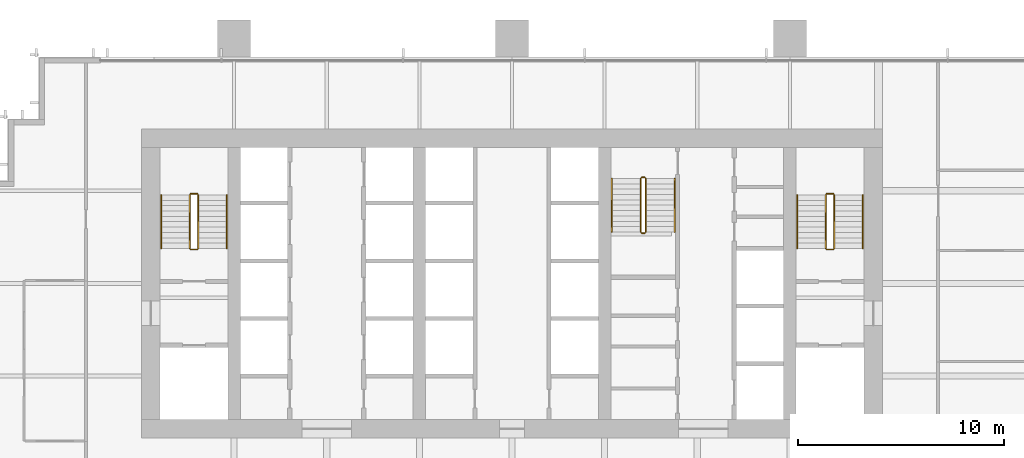
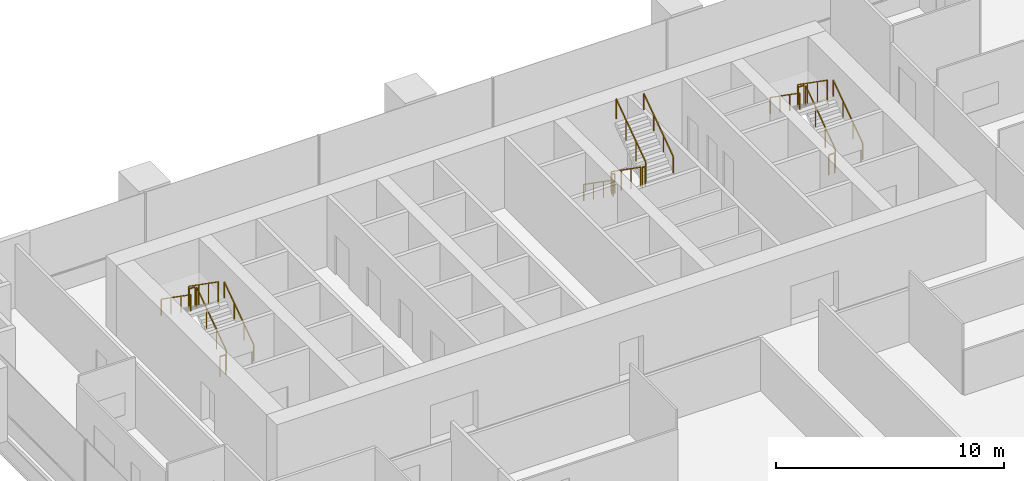
# One storey, part 17 of 17: 18 railings.
"""IFC4 building model written with IfcOpenShell, lengths in metres."""

from ifc_helpers import new_model, si_unit, direction, frame, origin, origin_2d, place, context, subcontext, project, spatial, rectangle, extrude, material, type_object, element, save


model = new_model("IFC4")

# Units and contexts
model_context = context("Model", 3, precision=1e-05, world=origin(), true_north=direction((0.0, 1.0)))
body_context = subcontext(model_context, "Body", "Model", "MODEL_VIEW")
ifc_project = project(units=[si_unit("LENGTHUNIT", "METRE"), si_unit("AREAUNIT", "SQUARE_METRE"), si_unit("VOLUMEUNIT", "CUBIC_METRE"), si_unit("PLANEANGLEUNIT", "RADIAN"), si_unit("MASSUNIT", "GRAM", prefix="KILO")], contexts=[model_context])

# Site, building, storey
site_placement = place(None, origin())
site = spatial("IfcSite", under=ifc_project, at=site_placement, CompositionType="ELEMENT")
building_placement = place(site_placement, origin())
building = spatial("IfcBuilding", under=site, at=building_placement, Name="Rattan Terrace Tower", CompositionType="ELEMENT")
storey_placement = place(building_placement, frame((0.0, 0.0, 95.699951171875)))
storey = spatial("IfcBuildingStorey", under=building, at=storey_placement, Name="L21", CompositionType="ELEMENT", Elevation=95.699951171875)

# Railings
ifc_material_1 = material(Name="Powder-coated steel guard", Category="steel")
railing_type_1 = type_object("IfcRailingType", Name="Core stair guard", PredefinedType="GUARDRAIL", material=ifc_material_1)
railing_1_placement = place(storey_placement, frame((-15.25, 1.699951171875, 0.181884765625)))
element("IfcRailing", 1, at=railing_1_placement, inside=storey, type_object=railing_type_1, Name="L21 S1 stair guard 1", PredefinedType="GUARDRAIL", context=body_context, shape_type="SweptSolid", body=[
    extrude(rectangle(XDim=0.048095703125, YDim=0.048095703125, at=origin_2d()), frame((0.0, 0.0, 1.076171875), z_axis=(0.0, 0.819521025635, 0.573049115296), x_axis=(-1.0, 0.0, 0.0)), (0.0, 0.0, 1.0), 3.172607421875),
    extrude(rectangle(XDim=0.0419921875, YDim=0.0419921875, at=origin_2d()), origin(), (0.0, 0.0, 1.0), 1.052001953125),
    extrude(rectangle(XDim=0.0419921875, YDim=0.0419921875, at=origin_2d()), frame((0.0, 0.86669921875, 0.60595703125)), (0.0, 0.0, 1.0), 1.052001953125),
    extrude(rectangle(XDim=0.0419921875, YDim=0.0419921875, at=origin_2d()), frame((0.0, 1.7333984375, 1.212158203125)), (0.0, 0.0, 1.0), 1.052001953125),
    extrude(rectangle(XDim=0.0419921875, YDim=0.0419921875, at=origin_2d()), frame((0.0, 2.60009765625, 1.818115234375)), (0.0, 0.0, 1.0), 1.052001953125),
])
railing_2_placement = place(storey_placement, frame((-15.300048828125, 4.35009765625, 2.0)))
element("IfcRailing", 2, at=railing_2_placement, inside=storey, type_object=railing_type_1, Name="L21 S1 stair guard 2", PredefinedType="GUARDRAIL", context=body_context, shape_type="SweptSolid", body=[
    extrude(rectangle(XDim=0.048095703125, YDim=0.048095703125, at=origin_2d()), frame((0.0, 0.0, 1.076171875), z_axis=(-1.0, 0.0, 0.0), x_axis=(0.0, -1.0, 0.0)), (0.0, 0.0, 1.0), 0.300048828125),
    extrude(rectangle(XDim=0.0419921875, YDim=0.0419921875, at=origin_2d()), origin(), (0.0, 0.0, 1.0), 1.052001953125),
    extrude(rectangle(XDim=0.0419921875, YDim=0.0419921875, at=origin_2d()), frame((-0.300048828125, 0.0, 0.0)), (0.0, 0.0, 1.0), 1.052001953125),
])
railing_3_placement = place(storey_placement, frame((-15.64990234375, 4.300048828125, 2.181884765625)))
element("IfcRailing", 3, at=railing_3_placement, inside=storey, type_object=railing_type_1, Name="L21 S1 stair guard 3", PredefinedType="GUARDRAIL", context=body_context, shape_type="SweptSolid", body=[
    extrude(rectangle(XDim=0.048095703125, YDim=0.048095703125, at=origin_2d()), frame((0.0, 0.0, 1.076171875), z_axis=(0.0, -0.819521025635, 0.573049115296), x_axis=(1.0, 0.0, 0.0)), (0.0, 0.0, 1.0), 3.172607421875),
    extrude(rectangle(XDim=0.0419921875, YDim=0.0419921875, at=origin_2d()), origin(), (0.0, 0.0, 1.0), 1.052001953125),
    extrude(rectangle(XDim=0.0419921875, YDim=0.0419921875, at=origin_2d()), frame((0.0, -0.86669921875, 0.60595703125)), (0.0, 0.0, 1.0), 1.052001953125),
    extrude(rectangle(XDim=0.0419921875, YDim=0.0419921875, at=origin_2d()), frame((0.0, -1.7333984375, 1.212158203125)), (0.0, 0.0, 1.0), 1.052001953125),
    extrude(rectangle(XDim=0.0419921875, YDim=0.0419921875, at=origin_2d()), frame((0.0, -2.60009765625, 1.818115234375)), (0.0, 0.0, 1.0), 1.052001953125),
])
railing_4_placement = place(storey_placement, frame((-15.300048828125, 1.64990234375, 0.0)))
element("IfcRailing", 4, at=railing_4_placement, inside=storey, type_object=railing_type_1, Name="L21 S1 stair guard 4", PredefinedType="GUARDRAIL", context=body_context, shape_type="SweptSolid", body=[
    extrude(rectangle(XDim=0.048095703125, YDim=0.048095703125, at=origin_2d()), frame((0.0, 0.0, 1.076171875), z_axis=(-1.0, 0.0, 0.0), x_axis=(0.0, -1.0, 0.0)), (0.0, 0.0, 1.0), 0.300048828125),
    extrude(rectangle(XDim=0.0419921875, YDim=0.0419921875, at=origin_2d()), origin(), (0.0, 0.0, 1.0), 1.052001953125),
    extrude(rectangle(XDim=0.0419921875, YDim=0.0419921875, at=origin_2d()), frame((-0.300048828125, 0.0, 0.0)), (0.0, 0.0, 1.0), 1.052001953125),
])
railing_5_placement = place(storey_placement, frame((15.64990234375, 1.699951171875, 0.181884765625)))
element("IfcRailing", 5, at=railing_5_placement, inside=storey, type_object=railing_type_1, Name="L21 S2 stair guard 1", PredefinedType="GUARDRAIL", context=body_context, shape_type="SweptSolid", body=[
    extrude(rectangle(XDim=0.048095703125, YDim=0.048095703125, at=origin_2d()), frame((0.0, 0.0, 1.076171875), z_axis=(0.0, 0.819521025635, 0.573049115296), x_axis=(-1.0, 0.0, 0.0)), (0.0, 0.0, 1.0), 3.172607421875),
    extrude(rectangle(XDim=0.0419921875, YDim=0.0419921875, at=origin_2d()), origin(), (0.0, 0.0, 1.0), 1.052001953125),
    extrude(rectangle(XDim=0.0419921875, YDim=0.0419921875, at=origin_2d()), frame((0.0, 0.86669921875, 0.60595703125)), (0.0, 0.0, 1.0), 1.052001953125),
    extrude(rectangle(XDim=0.0419921875, YDim=0.0419921875, at=origin_2d()), frame((0.0, 1.7333984375, 1.212158203125)), (0.0, 0.0, 1.0), 1.052001953125),
    extrude(rectangle(XDim=0.0419921875, YDim=0.0419921875, at=origin_2d()), frame((0.0, 2.60009765625, 1.818115234375)), (0.0, 0.0, 1.0), 1.052001953125),
])
railing_6_placement = place(storey_placement, frame((15.60009765625, 4.35009765625, 2.0)))
element("IfcRailing", 6, at=railing_6_placement, inside=storey, type_object=railing_type_1, Name="L21 S2 stair guard 2", PredefinedType="GUARDRAIL", context=body_context, shape_type="SweptSolid", body=[
    extrude(rectangle(XDim=0.048095703125, YDim=0.048095703125, at=origin_2d()), frame((0.0, 0.0, 1.076171875), z_axis=(-1.0, 0.0, 0.0), x_axis=(0.0, -1.0, 0.0)), (0.0, 0.0, 1.0), 0.300048828125),
    extrude(rectangle(XDim=0.0419921875, YDim=0.0419921875, at=origin_2d()), origin(), (0.0, 0.0, 1.0), 1.052001953125),
    extrude(rectangle(XDim=0.0419921875, YDim=0.0419921875, at=origin_2d()), frame((-0.300048828125, 0.0, 0.0)), (0.0, 0.0, 1.0), 1.052001953125),
])
railing_7_placement = place(storey_placement, frame((15.25, 4.300048828125, 2.181884765625)))
element("IfcRailing", 7, at=railing_7_placement, inside=storey, type_object=railing_type_1, Name="L21 S2 stair guard 3", PredefinedType="GUARDRAIL", context=body_context, shape_type="SweptSolid", body=[
    extrude(rectangle(XDim=0.048095703125, YDim=0.048095703125, at=origin_2d()), frame((0.0, 0.0, 1.076171875), z_axis=(0.0, -0.819521025635, 0.573049115296), x_axis=(1.0, 0.0, 0.0)), (0.0, 0.0, 1.0), 3.172607421875),
    extrude(rectangle(XDim=0.0419921875, YDim=0.0419921875, at=origin_2d()), origin(), (0.0, 0.0, 1.0), 1.052001953125),
    extrude(rectangle(XDim=0.0419921875, YDim=0.0419921875, at=origin_2d()), frame((0.0, -0.86669921875, 0.60595703125)), (0.0, 0.0, 1.0), 1.052001953125),
    extrude(rectangle(XDim=0.0419921875, YDim=0.0419921875, at=origin_2d()), frame((0.0, -1.7333984375, 1.212158203125)), (0.0, 0.0, 1.0), 1.052001953125),
    extrude(rectangle(XDim=0.0419921875, YDim=0.0419921875, at=origin_2d()), frame((0.0, -2.60009765625, 1.818115234375)), (0.0, 0.0, 1.0), 1.052001953125),
])
railing_8_placement = place(storey_placement, frame((15.60009765625, 1.64990234375, 0.0)))
element("IfcRailing", 8, at=railing_8_placement, inside=storey, type_object=railing_type_1, Name="L21 S2 stair guard 4", PredefinedType="GUARDRAIL", context=body_context, shape_type="SweptSolid", body=[
    extrude(rectangle(XDim=0.048095703125, YDim=0.048095703125, at=origin_2d()), frame((0.0, 0.0, 1.076171875), z_axis=(-1.0, 0.0, 0.0), x_axis=(0.0, -1.0, 0.0)), (0.0, 0.0, 1.0), 0.300048828125),
    extrude(rectangle(XDim=0.0419921875, YDim=0.0419921875, at=origin_2d()), origin(), (0.0, 0.0, 1.0), 1.052001953125),
    extrude(rectangle(XDim=0.0419921875, YDim=0.0419921875, at=origin_2d()), frame((-0.300048828125, 0.0, 0.0)), (0.0, 0.0, 1.0), 1.052001953125),
])
railing_9_placement = place(storey_placement, frame((6.25, 5.10009765625, 0.181884765625)))
element("IfcRailing", 9, at=railing_9_placement, inside=storey, type_object=railing_type_1, Name="L21 S3 stair guard 1", PredefinedType="GUARDRAIL", context=body_context, shape_type="SweptSolid", body=[
    extrude(rectangle(XDim=0.048095703125, YDim=0.048095703125, at=origin_2d()), frame((0.0, 0.0, 1.076171875), z_axis=(0.0, -0.819521025635, 0.573049115296), x_axis=(1.0, 0.0, 0.0)), (0.0, 0.0, 1.0), 3.172607421875),
    extrude(rectangle(XDim=0.0419921875, YDim=0.0419921875, at=origin_2d()), origin(), (0.0, 0.0, 1.0), 1.052001953125),
    extrude(rectangle(XDim=0.0419921875, YDim=0.0419921875, at=origin_2d()), frame((0.0, -0.86669921875, 0.60595703125)), (0.0, 0.0, 1.0), 1.052001953125),
    extrude(rectangle(XDim=0.0419921875, YDim=0.0419921875, at=origin_2d()), frame((0.0, -1.7333984375, 1.212158203125)), (0.0, 0.0, 1.0), 1.052001953125),
    extrude(rectangle(XDim=0.0419921875, YDim=0.0419921875, at=origin_2d()), frame((0.0, -2.60009765625, 1.818115234375)), (0.0, 0.0, 1.0), 1.052001953125),
])
railing_10_placement = place(storey_placement, frame((6.300048828125, 2.449951171875, 2.0)))
element("IfcRailing", 10, at=railing_10_placement, inside=storey, type_object=railing_type_1, Name="L21 S3 stair guard 2", PredefinedType="GUARDRAIL", context=body_context, shape_type="SweptSolid", body=[
    extrude(rectangle(XDim=0.048095703125, YDim=0.048095703125, at=origin_2d()), frame((0.0, 0.0, 1.076171875), z_axis=(1.0, 0.0, 0.0), x_axis=(0.0, 1.0, 0.0)), (0.0, 0.0, 1.0), 0.14990234375),
    extrude(rectangle(XDim=0.0419921875, YDim=0.0419921875, at=origin_2d()), origin(), (0.0, 0.0, 1.0), 1.052001953125),
    extrude(rectangle(XDim=0.0419921875, YDim=0.0419921875, at=origin_2d()), frame((0.14990234375, 0.0, 0.0)), (0.0, 0.0, 1.0), 1.052001953125),
])
railing_11_placement = place(storey_placement, frame((6.5, 2.5, 2.181884765625)))
element("IfcRailing", 11, at=railing_11_placement, inside=storey, type_object=railing_type_1, Name="L21 S3 stair guard 3", PredefinedType="GUARDRAIL", context=body_context, shape_type="SweptSolid", body=[
    extrude(rectangle(XDim=0.048095703125, YDim=0.048095703125, at=origin_2d()), frame((0.0, 0.0, 1.076171875), z_axis=(0.0, 0.819521025635, 0.573049115296), x_axis=(-1.0, 0.0, 0.0)), (0.0, 0.0, 1.0), 3.172607421875),
    extrude(rectangle(XDim=0.0419921875, YDim=0.0419921875, at=origin_2d()), origin(), (0.0, 0.0, 1.0), 1.052001953125),
    extrude(rectangle(XDim=0.0419921875, YDim=0.0419921875, at=origin_2d()), frame((0.0, 0.86669921875, 0.60595703125)), (0.0, 0.0, 1.0), 1.052001953125),
    extrude(rectangle(XDim=0.0419921875, YDim=0.0419921875, at=origin_2d()), frame((0.0, 1.7333984375, 1.212158203125)), (0.0, 0.0, 1.0), 1.052001953125),
    extrude(rectangle(XDim=0.0419921875, YDim=0.0419921875, at=origin_2d()), frame((0.0, 2.60009765625, 1.818115234375)), (0.0, 0.0, 1.0), 1.052001953125),
])
railing_12_placement = place(storey_placement, frame((6.300048828125, 5.14990234375, 0.0)))
element("IfcRailing", 12, at=railing_12_placement, inside=storey, type_object=railing_type_1, Name="L21 S3 stair guard 4", PredefinedType="GUARDRAIL", context=body_context, shape_type="SweptSolid", body=[
    extrude(rectangle(XDim=0.048095703125, YDim=0.048095703125, at=origin_2d()), frame((0.0, 0.0, 1.076171875), z_axis=(1.0, 0.0, 0.0), x_axis=(0.0, 1.0, 0.0)), (0.0, 0.0, 1.0), 0.14990234375),
    extrude(rectangle(XDim=0.0419921875, YDim=0.0419921875, at=origin_2d()), origin(), (0.0, 0.0, 1.0), 1.052001953125),
    extrude(rectangle(XDim=0.0419921875, YDim=0.0419921875, at=origin_2d()), frame((0.14990234375, 0.0, 0.0)), (0.0, 0.0, 1.0), 1.052001953125),
])
ifc_material_2 = material(Name="Powder-coated steel handrail", Category="steel")
railing_type_2 = type_object("IfcRailingType", Name="Core stair handrail", PredefinedType="HANDRAIL", material=ifc_material_2)
railing_13_placement = place(storey_placement, frame((-13.85009765625, 1.699951171875, 0.181884765625)))
element("IfcRailing", 13, at=railing_13_placement, inside=storey, type_object=railing_type_2, Name="L21 S1 stair handrail 1", PredefinedType="HANDRAIL", context=body_context, shape_type="SweptSolid", body=[
    extrude(rectangle(XDim=0.048095703125, YDim=0.048095703125, at=origin_2d()), frame((0.0, 0.0, 0.8759765625), z_axis=(0.0, 0.819521025635, 0.573049115296), x_axis=(-1.0, 0.0, 0.0)), (0.0, 0.0, 1.0), 3.172607421875),
    extrude(rectangle(XDim=0.0419921875, YDim=0.0419921875, at=origin_2d()), origin(), (0.0, 0.0, 1.0), 0.851806640625),
    extrude(rectangle(XDim=0.0419921875, YDim=0.0419921875, at=origin_2d()), frame((0.0, 0.86669921875, 0.60595703125)), (0.0, 0.0, 1.0), 0.851806640625),
    extrude(rectangle(XDim=0.0419921875, YDim=0.0419921875, at=origin_2d()), frame((0.0, 1.7333984375, 1.212158203125)), (0.0, 0.0, 1.0), 0.851806640625),
    extrude(rectangle(XDim=0.0419921875, YDim=0.0419921875, at=origin_2d()), frame((0.0, 2.60009765625, 1.818115234375)), (0.0, 0.0, 1.0), 0.851806640625),
])
railing_14_placement = place(storey_placement, frame((-17.050048828125, 4.300048828125, 2.181884765625)))
element("IfcRailing", 14, at=railing_14_placement, inside=storey, type_object=railing_type_2, Name="L21 S1 stair handrail 2", PredefinedType="HANDRAIL", context=body_context, shape_type="SweptSolid", body=[
    extrude(rectangle(XDim=0.048095703125, YDim=0.048095703125, at=origin_2d()), frame((0.0, 0.0, 0.8759765625), z_axis=(0.0, -0.819521025635, 0.573049115296), x_axis=(1.0, 0.0, 0.0)), (0.0, 0.0, 1.0), 3.172607421875),
    extrude(rectangle(XDim=0.0419921875, YDim=0.0419921875, at=origin_2d()), origin(), (0.0, 0.0, 1.0), 0.851806640625),
    extrude(rectangle(XDim=0.0419921875, YDim=0.0419921875, at=origin_2d()), frame((0.0, -0.86669921875, 0.60595703125)), (0.0, 0.0, 1.0), 0.851806640625),
    extrude(rectangle(XDim=0.0419921875, YDim=0.0419921875, at=origin_2d()), frame((0.0, -1.7333984375, 1.212158203125)), (0.0, 0.0, 1.0), 0.851806640625),
    extrude(rectangle(XDim=0.0419921875, YDim=0.0419921875, at=origin_2d()), frame((0.0, -2.60009765625, 1.818115234375)), (0.0, 0.0, 1.0), 0.851806640625),
])
railing_15_placement = place(storey_placement, frame((17.050048828125, 1.699951171875, 0.181884765625)))
element("IfcRailing", 15, at=railing_15_placement, inside=storey, type_object=railing_type_2, Name="L21 S2 stair handrail 1", PredefinedType="HANDRAIL", context=body_context, shape_type="SweptSolid", body=[
    extrude(rectangle(XDim=0.048095703125, YDim=0.048095703125, at=origin_2d()), frame((0.0, 0.0, 0.8759765625), z_axis=(0.0, 0.819521025635, 0.573049115296), x_axis=(-1.0, 0.0, 0.0)), (0.0, 0.0, 1.0), 3.172607421875),
    extrude(rectangle(XDim=0.0419921875, YDim=0.0419921875, at=origin_2d()), origin(), (0.0, 0.0, 1.0), 0.851806640625),
    extrude(rectangle(XDim=0.0419921875, YDim=0.0419921875, at=origin_2d()), frame((0.0, 0.86669921875, 0.60595703125)), (0.0, 0.0, 1.0), 0.851806640625),
    extrude(rectangle(XDim=0.0419921875, YDim=0.0419921875, at=origin_2d()), frame((0.0, 1.7333984375, 1.212158203125)), (0.0, 0.0, 1.0), 0.851806640625),
    extrude(rectangle(XDim=0.0419921875, YDim=0.0419921875, at=origin_2d()), frame((0.0, 2.60009765625, 1.818115234375)), (0.0, 0.0, 1.0), 0.851806640625),
])
for number, where, name in (
    (16, (13.85009765625, 4.300048828125, 2.181884765625), "L21 S2 stair handrail 2"),
    (17, (4.85009765625, 5.10009765625, 0.181884765625), "L21 S3 stair handrail 1"),
):
    element("IfcRailing", number, at=place(storey_placement, frame(where)), inside=storey, type_object=railing_type_2, Name=name, PredefinedType="HANDRAIL", context=body_context, shape_type="SweptSolid", body=[
        extrude(rectangle(XDim=0.048095703125, YDim=0.048095703125, at=origin_2d()), frame((0.0, 0.0, 0.8759765625), z_axis=(0.0, -0.819521025635, 0.573049115296), x_axis=(1.0, 0.0, 0.0)), (0.0, 0.0, 1.0), 3.172607421875),
        extrude(rectangle(XDim=0.0419921875, YDim=0.0419921875, at=origin_2d()), origin(), (0.0, 0.0, 1.0), 0.851806640625),
        extrude(rectangle(XDim=0.0419921875, YDim=0.0419921875, at=origin_2d()), frame((0.0, -0.86669921875, 0.60595703125)), (0.0, 0.0, 1.0), 0.851806640625),
        extrude(rectangle(XDim=0.0419921875, YDim=0.0419921875, at=origin_2d()), frame((0.0, -1.7333984375, 1.212158203125)), (0.0, 0.0, 1.0), 0.851806640625),
        extrude(rectangle(XDim=0.0419921875, YDim=0.0419921875, at=origin_2d()), frame((0.0, -2.60009765625, 1.818115234375)), (0.0, 0.0, 1.0), 0.851806640625),
    ])
railing_16_placement = place(storey_placement, frame((7.89990234375, 2.5, 2.181884765625)))
element("IfcRailing", 18, at=railing_16_placement, inside=storey, type_object=railing_type_2, Name="L21 S3 stair handrail 2", PredefinedType="HANDRAIL", context=body_context, shape_type="SweptSolid", body=[
    extrude(rectangle(XDim=0.048095703125, YDim=0.048095703125, at=origin_2d()), frame((0.0, 0.0, 0.8759765625), z_axis=(0.0, 0.819521025635, 0.573049115296), x_axis=(-1.0, 0.0, 0.0)), (0.0, 0.0, 1.0), 3.172607421875),
    extrude(rectangle(XDim=0.0419921875, YDim=0.0419921875, at=origin_2d()), origin(), (0.0, 0.0, 1.0), 0.851806640625),
    extrude(rectangle(XDim=0.0419921875, YDim=0.0419921875, at=origin_2d()), frame((0.0, 0.86669921875, 0.60595703125)), (0.0, 0.0, 1.0), 0.851806640625),
    extrude(rectangle(XDim=0.0419921875, YDim=0.0419921875, at=origin_2d()), frame((0.0, 1.7333984375, 1.212158203125)), (0.0, 0.0, 1.0), 0.851806640625),
    extrude(rectangle(XDim=0.0419921875, YDim=0.0419921875, at=origin_2d()), frame((0.0, 2.60009765625, 1.818115234375)), (0.0, 0.0, 1.0), 0.851806640625),
])

save(model, "model.ifc")
